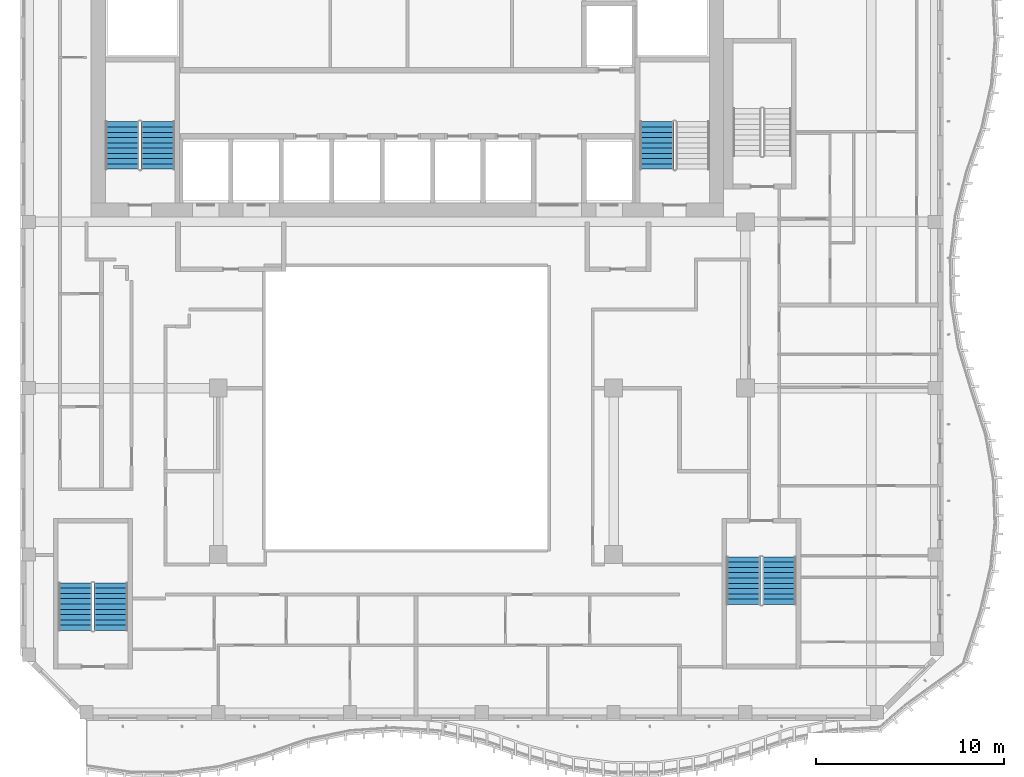
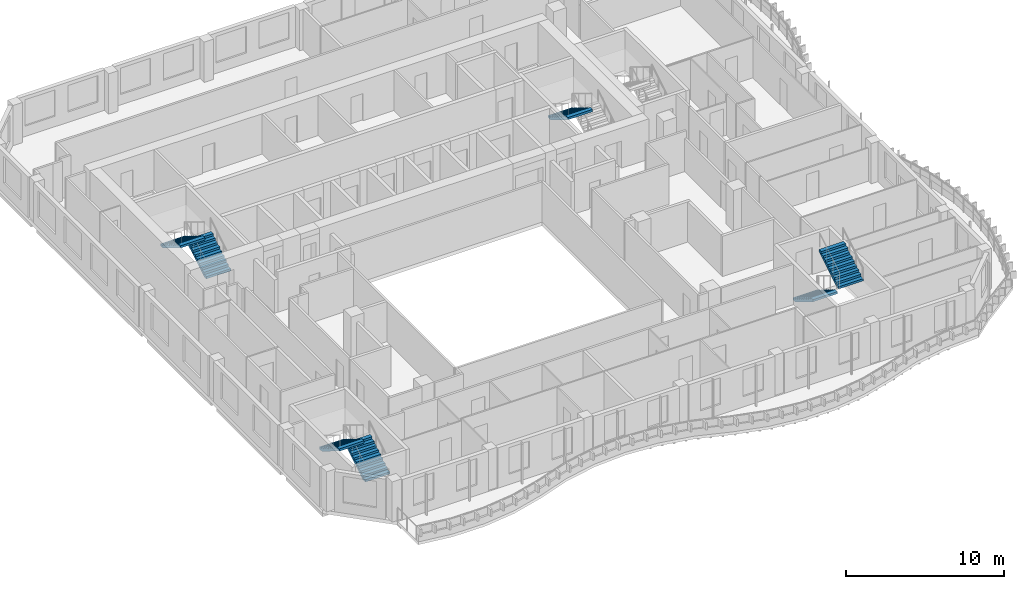
# One storey, part 10 of 18: 7 stair flights, 4 elements without a shape of their own.
"""IFC4 building model written with IfcOpenShell, lengths in metres."""

import ifcopenshell
import ifcopenshell.guid

model = None  # the IFC model being written
_history = None  # IfcOwnerHistory: only IFC2X3 demands one
_inside = {}  # id of a spatial element -> (the spatial element, [elements in it])
_under = {}  # id of a project, library or spatial element -> (it, [spatial elements below it])
_declared = {}  # id of a project -> (the project, [libraries it declares])
_typed = {}  # id of a type object -> (the type object, [elements of that type])
_made_of = {}  # id of a material, layer set ... -> (it, [elements and type objects made of it])


def new_model(schema):
    """Start an empty IFC model of exactly this schema.

    Asked for "IFC4X3", IfcOpenShell would pick the latest addendum, in which some entities
    have other attributes; the version numbers below select the first issue.
    IFC2X3 requires an IfcOwnerHistory on every rooted entity: one is made here for all.
    """
    global model, _history
    if schema == "IFC4X3":
        model = ifcopenshell.file(schema_version=(4, 3, 0, 0))
    else:
        model = ifcopenshell.file(schema=schema)
    _inside.clear()
    _under.clear()
    _declared.clear()
    _typed.clear()
    _made_of.clear()
    _history = None
    if model.schema == "IFC2X3":
        org = make("IfcOrganization", Name="unknown")
        user = make(
            "IfcPersonAndOrganization",
            ThePerson=make("IfcPerson", FamilyName="unknown"),
            TheOrganization=org,
        )
        app = make(
            "IfcApplication",
            ApplicationDeveloper=org,
            Version="unknown",
            ApplicationFullName="unknown",
            ApplicationIdentifier="unknown",
        )
        _history = make(
            "IfcOwnerHistory",
            OwningUser=user,
            OwningApplication=app,
            ChangeAction="ADDED",
            CreationDate=0,
        )
    return model


def make(cls, **values):
    """One entity of the class cls with the attributes given. An attribute that is None is left unset."""
    return model.create_entity(
        cls, **{name: value for name, value in values.items() if value is not None}
    )


def rooted(cls, **values):
    """An entity with a GlobalId (a new one), such as an element, a storey or a relation."""
    return make(cls, GlobalId=ifcopenshell.guid.new(), OwnerHistory=_history, **values)


def si_unit(unit_type, name, prefix=None):
    """IfcSIUnit, for example si_unit("LENGTHUNIT", "METRE", prefix="MILLI")."""
    return make("IfcSIUnit", UnitType=unit_type, Prefix=prefix, Name=name)


def assignment(units):
    """IfcUnitAssignment: the units of a project."""
    return None if units is None else make("IfcUnitAssignment", Units=units)


def point(xyz):
    """IfcCartesianPoint."""
    return None if xyz is None else make("IfcCartesianPoint", Coordinates=xyz)


def direction(xyz):
    """IfcDirection."""
    return None if xyz is None else make("IfcDirection", DirectionRatios=xyz)


def frame(location, z_axis=None, x_axis=None):
    """IfcAxis2Placement3D, a coordinate frame: its origin and axes. An axis left out is left unset."""
    return make(
        "IfcAxis2Placement3D",
        Location=point(location),
        Axis=direction(z_axis),
        RefDirection=direction(x_axis),
    )


def origin():
    """The frame at (0, 0, 0) with its axes left unset."""
    return frame((0.0, 0.0, 0.0))


def place(relative_to, where):
    """IfcLocalPlacement: puts the frame where relative to a parent placement (None: the world)."""
    return make(
        "IfcLocalPlacement", PlacementRelTo=relative_to, RelativePlacement=where
    )


def context(
    kind, dimensions, precision=None, world=None, true_north=None, identifier=None
):
    """IfcGeometricRepresentationContext, for example the 3D "Model" context."""
    return make(
        "IfcGeometricRepresentationContext",
        ContextIdentifier=identifier,
        ContextType=kind,
        CoordinateSpaceDimension=dimensions,
        Precision=precision,
        WorldCoordinateSystem=world,
        TrueNorth=true_north,
    )


def subcontext(parent, identifier, kind, view, scale=None):
    """IfcGeometricRepresentationSubContext, for example "Body" below "Model"."""
    return make(
        "IfcGeometricRepresentationSubContext",
        ContextIdentifier=identifier,
        ContextType=kind,
        ParentContext=parent,
        TargetScale=scale,
        TargetView=view,
    )


def project(units=None, contexts=None):
    """IfcProject with its units and contexts."""
    return rooted(
        "IfcProject",
        Name="project",
        RepresentationContexts=contexts,
        UnitsInContext=assignment(units),
    )


def spatial(cls, under=None, at=None, **own):
    """A site, building, storey or space (cls), placed at a placement, below another one or the project."""
    s = rooted(cls, ObjectPlacement=at, **own)
    if under is not None:
        _under.setdefault(under.id(), (under, []))[1].append(s)
    return s


def point_list(points):
    """IfcCartesianPointList2D or 3D."""
    cls = (
        "IfcCartesianPointList2D" if len(points[0]) == 2 else "IfcCartesianPointList3D"
    )
    return make(cls, CoordList=points)


def triangles(points, corners, closed=None, point_numbers=None):
    """IfcTriangulatedFaceSet: each triangle names its three corners, points numbered from 1."""
    return make(
        "IfcTriangulatedFaceSet",
        Coordinates=point_list(points),
        Closed=closed,
        CoordIndex=corners,
        PnIndex=point_numbers,
    )


def shape(context_of_items, identifier, shape_type, items):
    """IfcShapeRepresentation: the items that make up one representation, for example the "Body"."""
    return make(
        "IfcShapeRepresentation",
        ContextOfItems=context_of_items,
        RepresentationIdentifier=identifier,
        RepresentationType=shape_type,
        Items=items,
    )


def source(mapping_origin, context_of_items, identifier, shape_type, items):
    """IfcRepresentationMap: a shape defined once, which mapped items show again and again."""
    return make(
        "IfcRepresentationMap",
        MappingOrigin=mapping_origin,
        MappedRepresentation=shape(context_of_items, identifier, shape_type, items),
    )


def transform(
    local_origin,
    x_axis=None,
    y_axis=None,
    z_axis=None,
    scale=None,
    scale2=None,
    scale3=None,
    uniform=True,
):
    """IfcCartesianTransformationOperator3D, or its non-uniform kind. x_axis, y_axis, z_axis: its Axis1, 2, 3."""
    if uniform:
        return make(
            "IfcCartesianTransformationOperator3D",
            Axis1=direction(x_axis),
            Axis2=direction(y_axis),
            LocalOrigin=point(local_origin),
            Scale=scale,
            Axis3=direction(z_axis),
        )
    return make(
        "IfcCartesianTransformationOperator3DnonUniform",
        Axis1=direction(x_axis),
        Axis2=direction(y_axis),
        LocalOrigin=point(local_origin),
        Scale=scale,
        Axis3=direction(z_axis),
        Scale2=scale2,
        Scale3=scale3,
    )


def mapped(mapping_source, mapping_target):
    """IfcMappedItem: shows the shape of a source again, moved by a transform."""
    return make(
        "IfcMappedItem", MappingSource=mapping_source, MappingTarget=mapping_target
    )


def material(Name=None, Category=None):
    """IfcMaterial."""
    return make("IfcMaterial", Name=Name, Category=Category)


def made_of(thing, what):
    """Note that an element or type object is made of a material, layer set ...; save() writes the relation."""
    if what is not None:
        _made_of.setdefault(what.id(), (what, []))[1].append(thing)
    return thing


def type_object(cls, material=None, **own):
    """A type object (cls), such as IfcWallType, which elements share."""
    return made_of(rooted(cls, **own), material)


def element(
    cls,
    number,
    at=None,
    inside=None,
    cuts=None,
    type_object=None,
    material=None,
    context=None,
    identifier="Body",
    shape_type=None,
    held_by="IfcProductDefinitionShape",
    body=None,
    shapes=None,
    **own,
):
    """One element of the class cls, such as IfcWall. Its Tag is "e" and its number.

    at: its placement. inside: the storey or other place that contains it. cuts: it is an
    opening in that element (IfcRelVoidsElement). A single representation is given by context,
    identifier, shape_type and body (its items); several are given by shapes. held_by: the class
    of the entity that holds the representations. save() writes the other relations.
    """
    e = rooted(cls, Tag="e%d" % number, ObjectPlacement=at, **own)
    if body is not None:
        shapes = [shape(context, identifier, shape_type, body)]
    if shapes is not None:
        e.Representation = make(held_by, Representations=shapes)
    if inside is not None:
        _inside.setdefault(inside.id(), (inside, []))[1].append(e)
    if cuts is not None:
        rooted(
            "IfcRelVoidsElement", RelatingBuildingElement=cuts, RelatedOpeningElement=e
        )
    if type_object is not None:
        _typed.setdefault(type_object.id(), (type_object, []))[1].append(e)
    return made_of(e, material)


def aggregate(whole, parts):
    """IfcRelAggregates: a whole, such as a stair, and the parts it consists of."""
    return rooted("IfcRelAggregates", RelatingObject=whole, RelatedObjects=parts)


def save(model, path):
    """Write the relations noted so far, then the file.

    IfcRelAggregates (storeys below a building ...), IfcRelContainedInSpatialStructure (elements
    in a storey), IfcRelDefinesByType, IfcRelAssociatesMaterial and IfcRelDeclares: one each for
    every whole, place, type object, material and project.
    """
    for whole, parts in _under.values():
        aggregate(whole, parts)
    for where, things in _inside.values():
        rooted(
            "IfcRelContainedInSpatialStructure",
            RelatedElements=things,
            RelatingStructure=where,
        )
    for kind, things in _typed.values():
        rooted("IfcRelDefinesByType", RelatedObjects=things, RelatingType=kind)
    for what, things in _made_of.values():
        rooted("IfcRelAssociatesMaterial", RelatedObjects=things, RelatingMaterial=what)
    for by, libraries in _declared.values():
        rooted("IfcRelDeclares", RelatingContext=by, RelatedDefinitions=libraries)
    model.write(path)


model = new_model("IFC4")

# Units and contexts
model_context = context("Model", 3, precision=1e-05, world=origin(), true_north=direction((0.0, 1.0)))
body_context = subcontext(model_context, "Body", "Model", "MODEL_VIEW")
ifc_project = project(units=[si_unit("LENGTHUNIT", "METRE"), si_unit("AREAUNIT", "SQUARE_METRE"), si_unit("VOLUMEUNIT", "CUBIC_METRE"), si_unit("PLANEANGLEUNIT", "RADIAN"), si_unit("MASSUNIT", "GRAM", prefix="KILO")], contexts=[model_context])

# Site, building, storey
site_placement = place(None, origin())
site = spatial("IfcSite", under=ifc_project, at=site_placement, CompositionType="ELEMENT")
building_placement = place(site_placement, origin())
building = spatial("IfcBuilding", under=site, at=building_placement, Name="Kilnfold Tower and Market Hall", CompositionType="ELEMENT")
storey_placement = place(building_placement, frame((0.0, 0.0, 249.199951171875)))
storey = spatial("IfcBuildingStorey", under=building, at=storey_placement, Name="L60", CompositionType="ELEMENT", Elevation=249.199951171875)

# Stair, stair flights
ifc_material_1 = material(Name="Concrete C40/50", Category="concrete")
stair_type = type_object("IfcStairType", Name="CORE STAIR 1800", PredefinedType="HALF_TURN_STAIR", material=ifc_material_1)
stair_1_placement = place(storey_placement, origin())
stair_1 = element("IfcStair", 1, at=stair_1_placement, inside=storey, type_object=stair_type, Name="L60 ST1", PredefinedType="HALF_TURN_STAIR")
ifc_material_2 = material(Name="Concrete C40/50", Category="concrete")
stair_flight_type = type_object("IfcStairFlightType", Name="CORE STAIR FLIGHT 1800", PredefinedType="STRAIGHT", material=ifc_material_2)
shared_shape = source(origin(), body_context, "Body", "Tessellation", [
    triangles([(0.0, 0.89990234375, 0.0), (0.0, 0.78759765625, 0.0), (0.0, 0.675048828125, 0.0), (0.0, 0.5625, 0.0), (0.0, 0.449951171875, 0.0), (0.0, 0.33740234375, 0.0), (0.0, 0.22509765625, 0.0), (0.0, 0.112548828125, 0.0), (0.0, 0.0, 0.0), (0.0, -0.112548828125, 0.0), (0.0, -0.22509765625, 0.0), (0.0, -0.33740234375, 0.0), (0.0, -0.449951171875, 0.0), (0.0, -0.5625, 0.0), (0.0, -0.675048828125, 0.0), (0.0, -0.78759765625, 0.0), (0.0, -0.89990234375, 0.0), (0.0, 0.89990234375, 0.169921875), (0.0, 0.78759765625, 0.169921875), (0.0, 0.675048828125, 0.169921875), (0.0, 0.5625, 0.169921875), (0.0, 0.449951171875, 0.169921875), (0.0, 0.33740234375, 0.169921875), (0.0, 0.22509765625, 0.169921875), (0.0, 0.112548828125, 0.169921875), (0.0, 0.0, 0.169921875), (0.0, -0.112548828125, 0.169921875), (0.0, -0.22509765625, 0.169921875), (0.0, -0.33740234375, 0.169921875), (0.0, -0.449951171875, 0.169921875), (0.0, -0.5625, 0.169921875), (0.0, -0.675048828125, 0.169921875), (0.0, -0.78759765625, 0.169921875), (0.0, -0.89990234375, 0.169921875), (0.280029296875, 0.89990234375, 0.169921875), (0.280029296875, 0.78759765625, 0.169921875), (0.280029296875, 0.675048828125, 0.169921875), (0.280029296875, 0.5625, 0.169921875), (0.280029296875, 0.449951171875, 0.169921875), (0.280029296875, 0.33740234375, 0.169921875), (0.280029296875, 0.22509765625, 0.169921875), (0.280029296875, 0.112548828125, 0.169921875), (0.280029296875, 0.0, 0.169921875), (0.280029296875, -0.112548828125, 0.169921875), (0.280029296875, -0.22509765625, 0.169921875), (0.280029296875, -0.33740234375, 0.169921875), (0.280029296875, -0.449951171875, 0.169921875), (0.280029296875, -0.5625, 0.169921875), (0.280029296875, -0.675048828125, 0.169921875), (0.280029296875, -0.78759765625, 0.169921875), (0.280029296875, -0.89990234375, 0.169921875), (0.280029296875, 0.89990234375, 0.340087890625), (0.280029296875, 0.78759765625, 0.340087890625), (0.280029296875, 0.675048828125, 0.340087890625), (0.280029296875, 0.5625, 0.340087890625), (0.280029296875, 0.449951171875, 0.340087890625), (0.280029296875, 0.33740234375, 0.340087890625), (0.280029296875, 0.22509765625, 0.340087890625), (0.280029296875, 0.112548828125, 0.340087890625), (0.280029296875, 0.0, 0.340087890625), (0.280029296875, -0.112548828125, 0.340087890625), (0.280029296875, -0.22509765625, 0.340087890625), (0.280029296875, -0.33740234375, 0.340087890625), (0.280029296875, -0.449951171875, 0.340087890625), (0.280029296875, -0.5625, 0.340087890625), (0.280029296875, -0.675048828125, 0.340087890625), (0.280029296875, -0.78759765625, 0.340087890625), (0.280029296875, -0.89990234375, 0.340087890625), (0.56005859375, 0.89990234375, 0.340087890625), (0.56005859375, 0.78759765625, 0.340087890625), (0.56005859375, 0.675048828125, 0.340087890625), (0.56005859375, 0.5625, 0.340087890625), (0.56005859375, 0.449951171875, 0.340087890625), (0.56005859375, 0.33740234375, 0.340087890625), (0.56005859375, 0.22509765625, 0.340087890625), (0.56005859375, 0.112548828125, 0.340087890625), (0.56005859375, 0.0, 0.340087890625), (0.56005859375, -0.112548828125, 0.340087890625), (0.56005859375, -0.22509765625, 0.340087890625), (0.56005859375, -0.33740234375, 0.340087890625), (0.56005859375, -0.449951171875, 0.340087890625), (0.56005859375, -0.5625, 0.340087890625), (0.56005859375, -0.675048828125, 0.340087890625), (0.56005859375, -0.78759765625, 0.340087890625), (0.56005859375, -0.89990234375, 0.340087890625), (0.56005859375, 0.89990234375, 0.510009765625), (0.56005859375, 0.78759765625, 0.510009765625), (0.56005859375, 0.675048828125, 0.510009765625), (0.56005859375, 0.5625, 0.510009765625), (0.56005859375, 0.449951171875, 0.510009765625), (0.56005859375, 0.33740234375, 0.510009765625), (0.56005859375, 0.22509765625, 0.510009765625), (0.56005859375, 0.112548828125, 0.510009765625), (0.56005859375, 0.0, 0.510009765625), (0.56005859375, -0.112548828125, 0.510009765625), (0.56005859375, -0.22509765625, 0.510009765625), (0.56005859375, -0.33740234375, 0.510009765625), (0.56005859375, -0.449951171875, 0.510009765625), (0.56005859375, -0.5625, 0.510009765625), (0.56005859375, -0.675048828125, 0.510009765625), (0.56005859375, -0.78759765625, 0.510009765625), (0.56005859375, -0.89990234375, 0.510009765625), (0.840087890625, 0.89990234375, 0.510009765625), (0.840087890625, 0.78759765625, 0.510009765625), (0.840087890625, 0.675048828125, 0.510009765625), (0.840087890625, 0.5625, 0.510009765625), (0.840087890625, 0.449951171875, 0.510009765625), (0.840087890625, 0.33740234375, 0.510009765625), (0.840087890625, 0.22509765625, 0.510009765625), (0.840087890625, 0.112548828125, 0.510009765625), (0.840087890625, 0.0, 0.510009765625), (0.840087890625, -0.112548828125, 0.510009765625), (0.840087890625, -0.22509765625, 0.510009765625), (0.840087890625, -0.33740234375, 0.510009765625), (0.840087890625, -0.449951171875, 0.510009765625), (0.840087890625, -0.5625, 0.510009765625), (0.840087890625, -0.675048828125, 0.510009765625), (0.840087890625, -0.78759765625, 0.510009765625), (0.840087890625, -0.89990234375, 0.510009765625), (0.840087890625, 0.89990234375, 0.679931640625), (0.840087890625, 0.78759765625, 0.679931640625), (0.840087890625, 0.675048828125, 0.679931640625), (0.840087890625, 0.5625, 0.679931640625), (0.840087890625, 0.449951171875, 0.679931640625), (0.840087890625, 0.33740234375, 0.679931640625), (0.840087890625, 0.22509765625, 0.679931640625), (0.840087890625, 0.112548828125, 0.679931640625), (0.840087890625, 0.0, 0.679931640625), (0.840087890625, -0.112548828125, 0.679931640625), (0.840087890625, -0.22509765625, 0.679931640625), (0.840087890625, -0.33740234375, 0.679931640625), (0.840087890625, -0.449951171875, 0.679931640625), (0.840087890625, -0.5625, 0.679931640625), (0.840087890625, -0.675048828125, 0.679931640625), (0.840087890625, -0.78759765625, 0.679931640625), (0.840087890625, -0.89990234375, 0.679931640625), (1.1201171875, 0.89990234375, 0.679931640625), (1.1201171875, 0.78759765625, 0.679931640625), (1.1201171875, 0.675048828125, 0.679931640625), (1.1201171875, 0.5625, 0.679931640625), (1.1201171875, 0.449951171875, 0.679931640625), (1.1201171875, 0.33740234375, 0.679931640625), (1.1201171875, 0.22509765625, 0.679931640625), (1.1201171875, 0.112548828125, 0.679931640625), (1.1201171875, 0.0, 0.679931640625), (1.1201171875, -0.112548828125, 0.679931640625), (1.1201171875, -0.22509765625, 0.679931640625), (1.1201171875, -0.33740234375, 0.679931640625), (1.1201171875, -0.449951171875, 0.679931640625), (1.1201171875, -0.5625, 0.679931640625), (1.1201171875, -0.675048828125, 0.679931640625), (1.1201171875, -0.78759765625, 0.679931640625), (1.1201171875, -0.89990234375, 0.679931640625), (1.1201171875, 0.89990234375, 0.85009765625), (1.1201171875, 0.78759765625, 0.85009765625), (1.1201171875, 0.675048828125, 0.85009765625), (1.1201171875, 0.5625, 0.85009765625), (1.1201171875, 0.449951171875, 0.85009765625), (1.1201171875, 0.33740234375, 0.85009765625), (1.1201171875, 0.22509765625, 0.85009765625), (1.1201171875, 0.112548828125, 0.85009765625), (1.1201171875, 0.0, 0.85009765625), (1.1201171875, -0.112548828125, 0.85009765625), (1.1201171875, -0.22509765625, 0.85009765625), (1.1201171875, -0.33740234375, 0.85009765625), (1.1201171875, -0.449951171875, 0.85009765625), (1.1201171875, -0.5625, 0.85009765625), (1.1201171875, -0.675048828125, 0.85009765625), (1.1201171875, -0.78759765625, 0.85009765625), (1.1201171875, -0.89990234375, 0.85009765625), (1.39990234375, 0.89990234375, 0.85009765625), (1.39990234375, 0.78759765625, 0.85009765625), (1.39990234375, 0.675048828125, 0.85009765625), (1.39990234375, 0.5625, 0.85009765625), (1.39990234375, 0.449951171875, 0.85009765625), (1.39990234375, 0.33740234375, 0.85009765625), (1.39990234375, 0.22509765625, 0.85009765625), (1.39990234375, 0.112548828125, 0.85009765625), (1.39990234375, 0.0, 0.85009765625), (1.39990234375, -0.112548828125, 0.85009765625), (1.39990234375, -0.22509765625, 0.85009765625), (1.39990234375, -0.33740234375, 0.85009765625), (1.39990234375, -0.449951171875, 0.85009765625), (1.39990234375, -0.5625, 0.85009765625), (1.39990234375, -0.675048828125, 0.85009765625), (1.39990234375, -0.78759765625, 0.85009765625), (1.39990234375, -0.89990234375, 0.85009765625), (1.39990234375, 0.89990234375, 1.02001953125), (1.39990234375, 0.78759765625, 1.02001953125), (1.39990234375, 0.675048828125, 1.02001953125), (1.39990234375, 0.5625, 1.02001953125), (1.39990234375, 0.449951171875, 1.02001953125), (1.39990234375, 0.33740234375, 1.02001953125), (1.39990234375, 0.22509765625, 1.02001953125), (1.39990234375, 0.112548828125, 1.02001953125), (1.39990234375, 0.0, 1.02001953125), (1.39990234375, -0.112548828125, 1.02001953125), (1.39990234375, -0.22509765625, 1.02001953125), (1.39990234375, -0.33740234375, 1.02001953125), (1.39990234375, -0.449951171875, 1.02001953125), (1.39990234375, -0.5625, 1.02001953125), (1.39990234375, -0.675048828125, 1.02001953125), (1.39990234375, -0.78759765625, 1.02001953125), (1.39990234375, -0.89990234375, 1.02001953125), (1.679931640625, 0.89990234375, 1.02001953125), (1.679931640625, 0.78759765625, 1.02001953125), (1.679931640625, 0.675048828125, 1.02001953125), (1.679931640625, 0.5625, 1.02001953125), (1.679931640625, 0.449951171875, 1.02001953125), (1.679931640625, 0.33740234375, 1.02001953125), (1.679931640625, 0.22509765625, 1.02001953125), (1.679931640625, 0.112548828125, 1.02001953125), (1.679931640625, 0.0, 1.02001953125), (1.679931640625, -0.112548828125, 1.02001953125), (1.679931640625, -0.22509765625, 1.02001953125), (1.679931640625, -0.33740234375, 1.02001953125), (1.679931640625, -0.449951171875, 1.02001953125), (1.679931640625, -0.5625, 1.02001953125), (1.679931640625, -0.675048828125, 1.02001953125), (1.679931640625, -0.78759765625, 1.02001953125), (1.679931640625, -0.89990234375, 1.02001953125), (1.679931640625, 0.89990234375, 1.18994140625), (1.679931640625, 0.78759765625, 1.18994140625), (1.679931640625, 0.675048828125, 1.18994140625), (1.679931640625, 0.5625, 1.18994140625), (1.679931640625, 0.449951171875, 1.18994140625), (1.679931640625, 0.33740234375, 1.18994140625), (1.679931640625, 0.22509765625, 1.18994140625), (1.679931640625, 0.112548828125, 1.18994140625), (1.679931640625, 0.0, 1.18994140625), (1.679931640625, -0.112548828125, 1.18994140625), (1.679931640625, -0.22509765625, 1.18994140625), (1.679931640625, -0.33740234375, 1.18994140625), (1.679931640625, -0.449951171875, 1.18994140625), (1.679931640625, -0.5625, 1.18994140625), (1.679931640625, -0.675048828125, 1.18994140625), (1.679931640625, -0.78759765625, 1.18994140625), (1.679931640625, -0.89990234375, 1.18994140625), (1.9599609375, 0.89990234375, 1.18994140625), (1.9599609375, 0.78759765625, 1.18994140625), (1.9599609375, 0.675048828125, 1.18994140625), (1.9599609375, 0.5625, 1.18994140625), (1.9599609375, 0.449951171875, 1.18994140625), (1.9599609375, 0.33740234375, 1.18994140625), (1.9599609375, 0.22509765625, 1.18994140625), (1.9599609375, 0.112548828125, 1.18994140625), (1.9599609375, 0.0, 1.18994140625), (1.9599609375, -0.112548828125, 1.18994140625), (1.9599609375, -0.22509765625, 1.18994140625), (1.9599609375, -0.33740234375, 1.18994140625), (1.9599609375, -0.449951171875, 1.18994140625), (1.9599609375, -0.5625, 1.18994140625), (1.9599609375, -0.675048828125, 1.18994140625), (1.9599609375, -0.78759765625, 1.18994140625), (1.9599609375, -0.89990234375, 1.18994140625), (1.9599609375, 0.89990234375, 1.360107421875), (1.9599609375, 0.78759765625, 1.360107421875), (1.9599609375, 0.675048828125, 1.360107421875), (1.9599609375, 0.5625, 1.360107421875), (1.9599609375, 0.449951171875, 1.360107421875), (1.9599609375, 0.33740234375, 1.360107421875), (1.9599609375, 0.22509765625, 1.360107421875), (1.9599609375, 0.112548828125, 1.360107421875), (1.9599609375, 0.0, 1.360107421875), (1.9599609375, -0.112548828125, 1.360107421875), (1.9599609375, -0.22509765625, 1.360107421875), (1.9599609375, -0.33740234375, 1.360107421875), (1.9599609375, -0.449951171875, 1.360107421875), (1.9599609375, -0.5625, 1.360107421875), (1.9599609375, -0.675048828125, 1.360107421875), (1.9599609375, -0.78759765625, 1.360107421875), (1.9599609375, -0.89990234375, 1.360107421875), (2.239990234375, 0.89990234375, 1.360107421875), (2.239990234375, 0.78759765625, 1.360107421875), (2.239990234375, 0.675048828125, 1.360107421875), (2.239990234375, 0.5625, 1.360107421875), (2.239990234375, 0.449951171875, 1.360107421875), (2.239990234375, 0.33740234375, 1.360107421875), (2.239990234375, 0.22509765625, 1.360107421875), (2.239990234375, 0.112548828125, 1.360107421875), (2.239990234375, 0.0, 1.360107421875), (2.239990234375, -0.112548828125, 1.360107421875), (2.239990234375, -0.22509765625, 1.360107421875), (2.239990234375, -0.33740234375, 1.360107421875), (2.239990234375, -0.449951171875, 1.360107421875), (2.239990234375, -0.5625, 1.360107421875), (2.239990234375, -0.675048828125, 1.360107421875), (2.239990234375, -0.78759765625, 1.360107421875), (2.239990234375, -0.89990234375, 1.360107421875), (2.239990234375, 0.89990234375, 1.530029296875), (2.239990234375, 0.78759765625, 1.530029296875), (2.239990234375, 0.675048828125, 1.530029296875), (2.239990234375, 0.5625, 1.530029296875), (2.239990234375, 0.449951171875, 1.530029296875), (2.239990234375, 0.33740234375, 1.530029296875), (2.239990234375, 0.22509765625, 1.530029296875), (2.239990234375, 0.112548828125, 1.530029296875), (2.239990234375, 0.0, 1.530029296875), (2.239990234375, -0.112548828125, 1.530029296875), (2.239990234375, -0.22509765625, 1.530029296875), (2.239990234375, -0.33740234375, 1.530029296875), (2.239990234375, -0.449951171875, 1.530029296875), (2.239990234375, -0.5625, 1.530029296875), (2.239990234375, -0.675048828125, 1.530029296875), (2.239990234375, -0.78759765625, 1.530029296875), (2.239990234375, -0.89990234375, 1.530029296875), (2.52001953125, 0.89990234375, 1.530029296875), (2.52001953125, 0.78759765625, 1.530029296875), (2.52001953125, 0.675048828125, 1.530029296875), (2.52001953125, 0.5625, 1.530029296875), (2.52001953125, 0.449951171875, 1.530029296875), (2.52001953125, 0.33740234375, 1.530029296875), (2.52001953125, 0.22509765625, 1.530029296875), (2.52001953125, 0.112548828125, 1.530029296875), (2.52001953125, 0.0, 1.530029296875), (2.52001953125, -0.112548828125, 1.530029296875), (2.52001953125, -0.22509765625, 1.530029296875), (2.52001953125, -0.33740234375, 1.530029296875), (2.52001953125, -0.449951171875, 1.530029296875), (2.52001953125, -0.5625, 1.530029296875), (2.52001953125, -0.675048828125, 1.530029296875), (2.52001953125, -0.78759765625, 1.530029296875), (2.52001953125, -0.89990234375, 1.530029296875), (2.52001953125, 0.89990234375, 1.354736328125), (2.52001953125, 0.78759765625, 1.354736328125), (2.52001953125, 0.675048828125, 1.354736328125), (2.52001953125, 0.5625, 1.354736328125), (2.52001953125, 0.449951171875, 1.354736328125), (2.52001953125, 0.33740234375, 1.354736328125), (2.52001953125, 0.22509765625, 1.354736328125), (2.52001953125, 0.112548828125, 1.354736328125), (2.52001953125, 0.0, 1.354736328125), (2.52001953125, -0.112548828125, 1.354736328125), (2.52001953125, -0.22509765625, 1.354736328125), (2.52001953125, -0.33740234375, 1.354736328125), (2.52001953125, -0.449951171875, 1.354736328125), (2.52001953125, -0.5625, 1.354736328125), (2.52001953125, -0.675048828125, 1.354736328125), (2.52001953125, -0.78759765625, 1.354736328125), (2.52001953125, -0.89990234375, 1.354736328125), (0.288818359375, 0.89990234375, 0.0), (0.288818359375, 0.78759765625, 0.0), (0.288818359375, 0.675048828125, 0.0), (0.288818359375, 0.5625, 0.0), (0.288818359375, 0.449951171875, 0.0), (0.288818359375, 0.33740234375, 0.0), (0.288818359375, 0.22509765625, 0.0), (0.288818359375, 0.112548828125, 0.0), (0.288818359375, 0.0, 0.0), (0.288818359375, -0.112548828125, 0.0), (0.288818359375, -0.22509765625, 0.0), (0.288818359375, -0.33740234375, 0.0), (0.288818359375, -0.449951171875, 0.0), (0.288818359375, -0.5625, 0.0), (0.288818359375, -0.675048828125, 0.0), (0.288818359375, -0.78759765625, 0.0), (0.288818359375, -0.89990234375, 0.0)], [[1, 324, 341], [17, 357, 340], [324, 290, 307], [340, 323, 306], [324, 273, 290], [340, 306, 289], [324, 256, 273], [340, 289, 272], [324, 239, 256], [340, 272, 255], [239, 205, 222], [255, 238, 221], [324, 205, 239], [340, 255, 221], [205, 171, 188], [221, 204, 187], [324, 171, 205], [340, 221, 187], [171, 137, 154], [187, 170, 153], [324, 137, 171], [340, 187, 153], [137, 103, 120], [153, 136, 119], [324, 103, 137], [340, 153, 119], [103, 69, 86], [119, 102, 85], [324, 69, 103], [340, 119, 85], [69, 35, 52], [85, 68, 51], [324, 35, 69], [340, 85, 51], [1, 35, 324], [17, 340, 51], [35, 1, 18], [51, 34, 17], [1, 19, 18], [1, 2, 19], [2, 20, 19], [2, 3, 20], [3, 21, 20], [3, 4, 21], [4, 22, 21], [4, 5, 22], [5, 23, 22], [5, 6, 23], [6, 24, 23], [6, 7, 24], [7, 25, 24], [7, 8, 25], [8, 26, 25], [8, 9, 26], [9, 27, 26], [9, 10, 27], [10, 28, 27], [10, 11, 28], [11, 29, 28], [11, 12, 29], [12, 30, 29], [12, 13, 30], [13, 31, 30], [13, 14, 31], [14, 32, 31], [14, 15, 32], [15, 33, 32], [15, 16, 33], [16, 34, 33], [16, 17, 34], [18, 36, 35], [18, 19, 36], [19, 37, 36], [19, 20, 37], [20, 38, 37], [20, 21, 38], [21, 39, 38], [21, 22, 39], [22, 40, 39], [22, 23, 40], [23, 41, 40], [23, 24, 41], [24, 42, 41], [24, 25, 42], [25, 43, 42], [25, 26, 43], [26, 44, 43], [26, 27, 44], [27, 45, 44], [27, 28, 45], [28, 46, 45], [28, 29, 46], [29, 47, 46], [29, 30, 47], [30, 48, 47], [30, 31, 48], [31, 49, 48], [31, 32, 49], [32, 50, 49], [32, 33, 50], [33, 51, 50], [33, 34, 51], [35, 53, 52], [35, 36, 53], [36, 54, 53], [36, 37, 54], [37, 55, 54], [37, 38, 55], [38, 56, 55], [38, 39, 56], [39, 57, 56], [39, 40, 57], [40, 58, 57], [40, 41, 58], [41, 59, 58], [41, 42, 59], [42, 60, 59], [42, 43, 60], [43, 61, 60], [43, 44, 61], [44, 62, 61], [44, 45, 62], [45, 63, 62], [45, 46, 63], [46, 64, 63], [46, 47, 64], [47, 65, 64], [47, 48, 65], [48, 66, 65], [48, 49, 66], [49, 67, 66], [49, 50, 67], [50, 68, 67], [50, 51, 68], [52, 70, 69], [52, 53, 70], [53, 71, 70], [53, 54, 71], [54, 72, 71], [54, 55, 72], [55, 73, 72], [55, 56, 73], [56, 74, 73], [56, 57, 74], [57, 75, 74], [57, 58, 75], [58, 76, 75], [58, 59, 76], [59, 77, 76], [59, 60, 77], [60, 78, 77], [60, 61, 78], [61, 79, 78], [61, 62, 79], [62, 80, 79], [62, 63, 80], [63, 81, 80], [63, 64, 81], [64, 82, 81], [64, 65, 82], [65, 83, 82], [65, 66, 83], [66, 84, 83], [66, 67, 84], [67, 85, 84], [67, 68, 85], [69, 87, 86], [69, 70, 87], [70, 88, 87], [70, 71, 88], [71, 89, 88], [71, 72, 89], [72, 90, 89], [72, 73, 90], [73, 91, 90], [73, 74, 91], [74, 92, 91], [74, 75, 92], [75, 93, 92], [75, 76, 93], [76, 94, 93], [76, 77, 94], [77, 95, 94], [77, 78, 95], [78, 96, 95], [78, 79, 96], [79, 97, 96], [79, 80, 97], [80, 98, 97], [80, 81, 98], [81, 99, 98], [81, 82, 99], [82, 100, 99], [82, 83, 100], [83, 101, 100], [83, 84, 101], [84, 102, 101], [84, 85, 102], [86, 104, 103], [86, 87, 104], [87, 105, 104], [87, 88, 105], [88, 106, 105], [88, 89, 106], [89, 107, 106], [89, 90, 107], [90, 108, 107], [90, 91, 108], [91, 109, 108], [91, 92, 109], [92, 110, 109], [92, 93, 110], [93, 111, 110], [93, 94, 111], [94, 112, 111], [94, 95, 112], [95, 113, 112], [95, 96, 113], [96, 114, 113], [96, 97, 114], [97, 115, 114], [97, 98, 115], [98, 116, 115], [98, 99, 116], [99, 117, 116], [99, 100, 117], [100, 118, 117], [100, 101, 118], [101, 119, 118], [101, 102, 119], [103, 121, 120], [103, 104, 121], [104, 122, 121], [104, 105, 122], [105, 123, 122], [105, 106, 123], [106, 124, 123], [106, 107, 124], [107, 125, 124], [107, 108, 125], [108, 126, 125], [108, 109, 126], [109, 127, 126], [109, 110, 127], [110, 128, 127], [110, 111, 128], [111, 129, 128], [111, 112, 129], [112, 130, 129], [112, 113, 130], [113, 131, 130], [113, 114, 131], [114, 132, 131], [114, 115, 132], [115, 133, 132], [115, 116, 133], [116, 134, 133], [116, 117, 134], [117, 135, 134], [117, 118, 135], [118, 136, 135], [118, 119, 136], [120, 138, 137], [120, 121, 138], [121, 139, 138], [121, 122, 139], [122, 140, 139], [122, 123, 140], [123, 141, 140], [123, 124, 141], [124, 142, 141], [124, 125, 142], [125, 143, 142], [125, 126, 143], [126, 144, 143], [126, 127, 144], [127, 145, 144], [127, 128, 145], [128, 146, 145], [128, 129, 146], [129, 147, 146], [129, 130, 147], [130, 148, 147], [130, 131, 148], [131, 149, 148], [131, 132, 149], [132, 150, 149], [132, 133, 150], [133, 151, 150], [133, 134, 151], [134, 152, 151], [134, 135, 152], [135, 153, 152], [135, 136, 153], [137, 155, 154], [137, 138, 155], [138, 156, 155], [138, 139, 156], [139, 157, 156], [139, 140, 157], [140, 158, 157], [140, 141, 158], [141, 159, 158], [141, 142, 159], [142, 160, 159], [142, 143, 160], [143, 161, 160], [143, 144, 161], [144, 162, 161], [144, 145, 162], [145, 163, 162], [145, 146, 163], [146, 164, 163], [146, 147, 164], [147, 165, 164], [147, 148, 165], [148, 166, 165], [148, 149, 166], [149, 167, 166], [149, 150, 167], [150, 168, 167], [150, 151, 168], [151, 169, 168], [151, 152, 169], [152, 170, 169], [152, 153, 170], [154, 172, 171], [154, 155, 172], [155, 173, 172], [155, 156, 173], [156, 174, 173], [156, 157, 174], [157, 175, 174], [157, 158, 175], [158, 176, 175], [158, 159, 176], [159, 177, 176], [159, 160, 177], [160, 178, 177], [160, 161, 178], [161, 179, 178], [161, 162, 179], [162, 180, 179], [162, 163, 180], [163, 181, 180], [163, 164, 181], [164, 182, 181], [164, 165, 182], [165, 183, 182], [165, 166, 183], [166, 184, 183], [166, 167, 184], [167, 185, 184], [167, 168, 185], [168, 186, 185], [168, 169, 186], [169, 187, 186], [169, 170, 187], [171, 189, 188], [171, 172, 189], [172, 190, 189], [172, 173, 190], [173, 191, 190], [173, 174, 191], [174, 192, 191], [174, 175, 192], [175, 193, 192], [175, 176, 193], [176, 194, 193], [176, 177, 194], [177, 195, 194], [177, 178, 195], [178, 196, 195], [178, 179, 196], [179, 197, 196], [179, 180, 197], [180, 198, 197], [180, 181, 198], [181, 199, 198], [181, 182, 199], [182, 200, 199], [182, 183, 200], [183, 201, 200], [183, 184, 201], [184, 202, 201], [184, 185, 202], [185, 203, 202], [185, 186, 203], [186, 204, 203], [186, 187, 204], [188, 206, 205], [188, 189, 206], [189, 207, 206], [189, 190, 207], [190, 208, 207], [190, 191, 208], [191, 209, 208], [191, 192, 209], [192, 210, 209], [192, 193, 210], [193, 211, 210], [193, 194, 211], [194, 212, 211], [194, 195, 212], [195, 213, 212], [195, 196, 213], [196, 214, 213], [196, 197, 214], [197, 215, 214], [197, 198, 215], [198, 216, 215], [198, 199, 216], [199, 217, 216], [199, 200, 217], [200, 218, 217], [200, 201, 218], [201, 219, 218], [201, 202, 219], [202, 220, 219], [202, 203, 220], [203, 221, 220], [203, 204, 221], [205, 223, 222], [205, 206, 223], [206, 224, 223], [206, 207, 224], [207, 225, 224], [207, 208, 225], [208, 226, 225], [208, 209, 226], [209, 227, 226], [209, 210, 227], [210, 228, 227], [210, 211, 228], [211, 229, 228], [211, 212, 229], [212, 230, 229], [212, 213, 230], [213, 231, 230], [213, 214, 231], [214, 232, 231], [214, 215, 232], [215, 233, 232], [215, 216, 233], [216, 234, 233], [216, 217, 234], [217, 235, 234], [217, 218, 235], [218, 236, 235], [218, 219, 236], [219, 237, 236], [219, 220, 237], [220, 238, 237], [220, 221, 238], [222, 240, 239], [222, 223, 240], [223, 241, 240], [223, 224, 241], [224, 242, 241], [224, 225, 242], [225, 243, 242], [225, 226, 243], [226, 244, 243], [226, 227, 244], [227, 245, 244], [227, 228, 245], [228, 246, 245], [228, 229, 246], [229, 247, 246], [229, 230, 247], [230, 248, 247], [230, 231, 248], [231, 249, 248], [231, 232, 249], [232, 250, 249], [232, 233, 250], [233, 251, 250], [233, 234, 251], [234, 252, 251], [234, 235, 252], [235, 253, 252], [235, 236, 253], [236, 254, 253], [236, 237, 254], [237, 255, 254], [237, 238, 255], [239, 257, 256], [239, 240, 257], [240, 258, 257], [240, 241, 258], [241, 259, 258], [241, 242, 259], [242, 260, 259], [242, 243, 260], [243, 261, 260], [243, 244, 261], [244, 262, 261], [244, 245, 262], [245, 263, 262], [245, 246, 263], [246, 264, 263], [246, 247, 264], [247, 265, 264], [247, 248, 265], [248, 266, 265], [248, 249, 266], [249, 267, 266], [249, 250, 267], [250, 268, 267], [250, 251, 268], [251, 269, 268], [251, 252, 269], [252, 270, 269], [252, 253, 270], [253, 271, 270], [253, 254, 271], [254, 272, 271], [254, 255, 272], [256, 274, 273], [256, 257, 274], [257, 275, 274], [257, 258, 275], [258, 276, 275], [258, 259, 276], [259, 277, 276], [259, 260, 277], [260, 278, 277], [260, 261, 278], [261, 279, 278], [261, 262, 279], [262, 280, 279], [262, 263, 280], [263, 281, 280], [263, 264, 281], [264, 282, 281], [264, 265, 282], [265, 283, 282], [265, 266, 283], [266, 284, 283], [266, 267, 284], [267, 285, 284], [267, 268, 285], [268, 286, 285], [268, 269, 286], [269, 287, 286], [269, 270, 287], [270, 288, 287], [270, 271, 288], [271, 289, 288], [271, 272, 289], [273, 291, 290], [273, 274, 291], [274, 292, 291], [274, 275, 292], [275, 293, 292], [275, 276, 293], [276, 294, 293], [276, 277, 294], [277, 295, 294], [277, 278, 295], [278, 296, 295], [278, 279, 296], [279, 297, 296], [279, 280, 297], [280, 298, 297], [280, 281, 298], [281, 299, 298], [281, 282, 299], [282, 300, 299], [282, 283, 300], [283, 301, 300], [283, 284, 301], [284, 302, 301], [284, 285, 302], [285, 303, 302], [285, 286, 303], [286, 304, 303], [286, 287, 304], [287, 305, 304], [287, 288, 305], [288, 306, 305], [288, 289, 306], [290, 308, 307], [290, 291, 308], [291, 309, 308], [291, 292, 309], [292, 310, 309], [292, 293, 310], [293, 311, 310], [293, 294, 311], [294, 312, 311], [294, 295, 312], [295, 313, 312], [295, 296, 313], [296, 314, 313], [296, 297, 314], [297, 315, 314], [297, 298, 315], [298, 316, 315], [298, 299, 316], [299, 317, 316], [299, 300, 317], [300, 318, 317], [300, 301, 318], [301, 319, 318], [301, 302, 319], [302, 320, 319], [302, 303, 320], [303, 321, 320], [303, 304, 321], [304, 322, 321], [304, 305, 322], [305, 323, 322], [305, 306, 323], [307, 325, 324], [307, 308, 325], [308, 326, 325], [308, 309, 326], [309, 327, 326], [309, 310, 327], [310, 328, 327], [310, 311, 328], [311, 329, 328], [311, 312, 329], [312, 330, 329], [312, 313, 330], [313, 331, 330], [313, 314, 331], [314, 332, 331], [314, 315, 332], [315, 333, 332], [315, 316, 333], [316, 334, 333], [316, 317, 334], [317, 335, 334], [317, 318, 335], [318, 336, 335], [318, 319, 336], [319, 337, 336], [319, 320, 337], [320, 338, 337], [320, 321, 338], [321, 339, 338], [321, 322, 339], [322, 340, 339], [322, 323, 340], [324, 342, 341], [324, 325, 342], [325, 343, 342], [325, 326, 343], [326, 344, 343], [326, 327, 344], [327, 345, 344], [327, 328, 345], [328, 346, 345], [328, 329, 346], [329, 347, 346], [329, 330, 347], [330, 348, 347], [330, 331, 348], [331, 349, 348], [331, 332, 349], [332, 350, 349], [332, 333, 350], [333, 351, 350], [333, 334, 351], [334, 352, 351], [334, 335, 352], [335, 353, 352], [335, 336, 353], [336, 354, 353], [336, 337, 354], [337, 355, 354], [337, 338, 355], [338, 356, 355], [338, 339, 356], [339, 357, 356], [339, 340, 357], [341, 2, 1], [341, 342, 2], [342, 3, 2], [342, 343, 3], [343, 4, 3], [343, 344, 4], [344, 5, 4], [344, 345, 5], [345, 6, 5], [345, 346, 6], [346, 7, 6], [346, 347, 7], [347, 8, 7], [347, 348, 8], [348, 9, 8], [348, 349, 9], [349, 10, 9], [349, 350, 10], [350, 11, 10], [350, 351, 11], [351, 12, 11], [351, 352, 12], [352, 13, 12], [352, 353, 13], [353, 14, 13], [353, 354, 14], [354, 15, 14], [354, 355, 15], [355, 16, 15], [355, 356, 16], [356, 17, 16], [356, 357, 17]], closed=True),
])
stair_flight_1_placement = place(storey_placement, frame((-12.199951171875, 10.800048828125, 0.0), z_axis=(0.0, 0.0, 1.0), x_axis=(0.0, 1.0, 0.0)))
stair_flight_1 = element("IfcStairFlight", 2, at=stair_flight_1_placement, type_object=stair_flight_type, Name="ST1 flight 1", NumberOfRisers=10, NumberOfTreads=9, PredefinedType="STRAIGHT", RiserHeight=0.17, TreadLength=0.28, context=body_context, shape_type="MappedRepresentation", body=[
    mapped(shared_shape, transform((0.0, 0.0, 0.0))),
])
stair_flight_2_placement = place(storey_placement, frame((-14.10009765625, 13.320068359375, 1.699951171875), z_axis=(0.0, 0.0, 1.0), x_axis=(0.0, -1.0, 0.0)))
stair_flight_2 = element("IfcStairFlight", 3, at=stair_flight_2_placement, type_object=stair_flight_type, Name="ST1 flight 2", NumberOfRisers=10, NumberOfTreads=9, PredefinedType="STRAIGHT", RiserHeight=0.17, TreadLength=0.28, context=body_context, shape_type="MappedRepresentation", body=[
    mapped(shared_shape, transform((0.0, 0.0, 0.0))),
])
aggregate(stair_1, [stair_flight_1, stair_flight_2])

# Stair, stair flight
stair_2_placement = place(storey_placement, origin())
stair_2 = element("IfcStair", 4, at=stair_2_placement, inside=storey, type_object=stair_type, Name="L60 ST2", PredefinedType="HALF_TURN_STAIR")
stair_flight_3_placement = place(storey_placement, frame((14.300048828125, 13.320068359375, 1.699951171875), z_axis=(0.0, 0.0, 1.0), x_axis=(0.0, -1.0, 0.0)))
stair_flight_3 = element("IfcStairFlight", 5, at=stair_flight_3_placement, type_object=stair_flight_type, Name="ST2 flight 2", NumberOfRisers=10, NumberOfTreads=9, PredefinedType="STRAIGHT", RiserHeight=0.17, TreadLength=0.28, context=body_context, shape_type="MappedRepresentation", body=[
    mapped(shared_shape, transform((0.0, 0.0, 0.0))),
])
aggregate(stair_2, [stair_flight_3])

# Stair, stair flights
stair_3_placement = place(storey_placement, origin())
stair_3 = element("IfcStair", 6, at=stair_3_placement, inside=storey, type_object=stair_type, Name="L60 ST3", PredefinedType="HALF_TURN_STAIR")
stair_flight_4_placement = place(storey_placement, frame((-14.699951171875, -13.699951171875, 0.0), z_axis=(0.0, 0.0, 1.0), x_axis=(0.0, 1.0, 0.0)))
stair_flight_4 = element("IfcStairFlight", 7, at=stair_flight_4_placement, type_object=stair_flight_type, Name="ST3 flight 1", NumberOfRisers=10, NumberOfTreads=9, PredefinedType="STRAIGHT", RiserHeight=0.17, TreadLength=0.28, context=body_context, shape_type="MappedRepresentation", body=[
    mapped(shared_shape, transform((0.0, 0.0, 0.0))),
])
stair_flight_5_placement = place(storey_placement, frame((-16.60009765625, -11.179931640625, 1.699951171875), z_axis=(0.0, 0.0, 1.0), x_axis=(0.0, -1.0, 0.0)))
stair_flight_5 = element("IfcStairFlight", 8, at=stair_flight_5_placement, type_object=stair_flight_type, Name="ST3 flight 2", NumberOfRisers=10, NumberOfTreads=9, PredefinedType="STRAIGHT", RiserHeight=0.17, TreadLength=0.28, context=body_context, shape_type="MappedRepresentation", body=[
    mapped(shared_shape, transform((0.0, 0.0, 0.0))),
])
aggregate(stair_3, [stair_flight_4, stair_flight_5])

stair_4_placement = place(storey_placement, origin())
stair_4 = element("IfcStair", 9, at=stair_4_placement, inside=storey, type_object=stair_type, Name="L60 ST4", PredefinedType="HALF_TURN_STAIR")
stair_flight_6_placement = place(storey_placement, frame((18.89990234375, -9.800048828125, 0.0), z_axis=(0.0, 0.0, 1.0), x_axis=(0.0, -1.0, 0.0)))
stair_flight_6 = element("IfcStairFlight", 10, at=stair_flight_6_placement, type_object=stair_flight_type, Name="ST4 flight 1", NumberOfRisers=10, NumberOfTreads=9, PredefinedType="STRAIGHT", RiserHeight=0.17, TreadLength=0.28, context=body_context, shape_type="MappedRepresentation", body=[
    mapped(shared_shape, transform((0.0, 0.0, 0.0))),
])
stair_flight_7_placement = place(storey_placement, frame((20.800048828125, -12.320068359375, 1.699951171875), z_axis=(0.0, 0.0, 1.0), x_axis=(0.0, 1.0, 0.0)))
stair_flight_7 = element("IfcStairFlight", 11, at=stair_flight_7_placement, type_object=stair_flight_type, Name="ST4 flight 2", NumberOfRisers=10, NumberOfTreads=9, PredefinedType="STRAIGHT", RiserHeight=0.17, TreadLength=0.28, context=body_context, shape_type="MappedRepresentation", body=[
    mapped(shared_shape, transform((0.0, 0.0, 0.0))),
])
aggregate(stair_4, [stair_flight_6, stair_flight_7])

save(model, "model.ifc")
